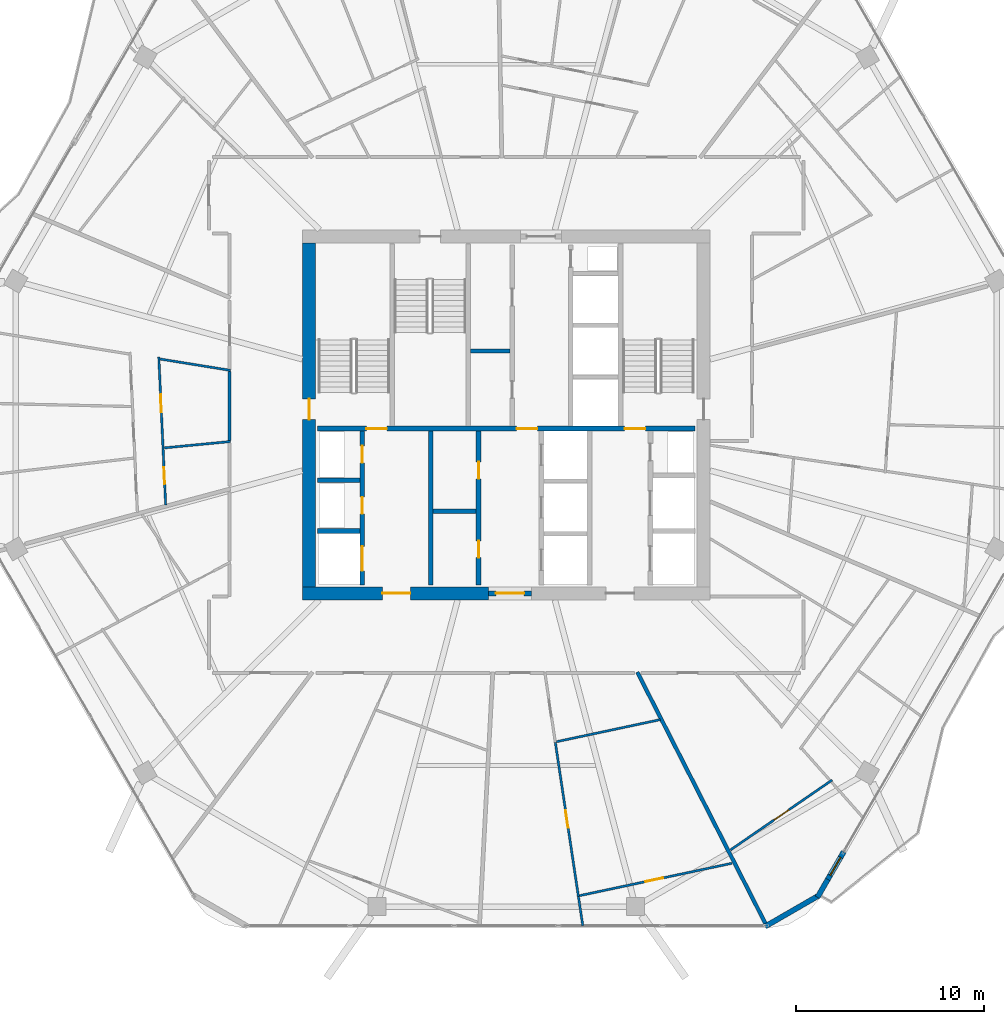
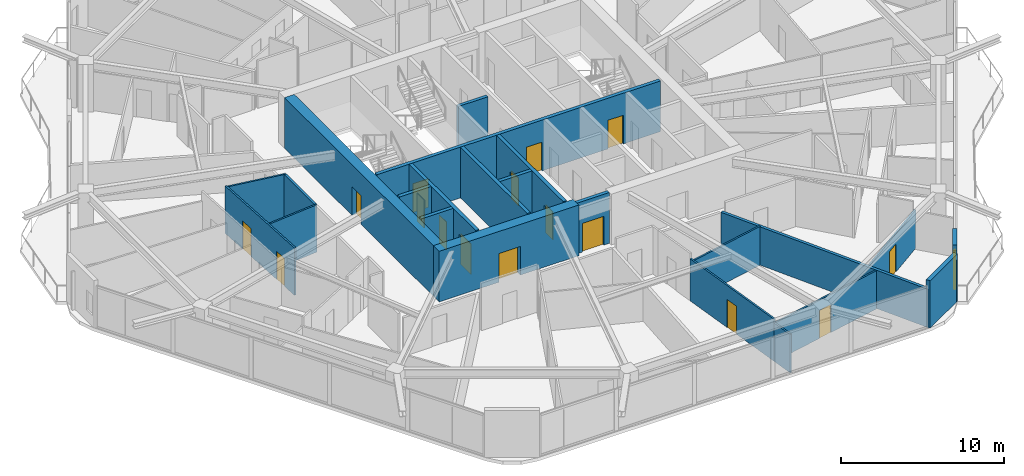
# One storey, part 19 of 27: 24 walls, 17 doors, 17 openings.
"""IFC4 building model written with IfcOpenShell, lengths in metres."""

from ifc_helpers import new_model, si_unit, direction, frame, frame_2d, origin, place, context, subcontext, project, spatial, rectangle, extrude, material, layer, layer_set, type_object, element, fill, save


model = new_model("IFC4")

# Units and contexts
model_context = context("Model", 3, precision=1e-05, world=origin(), true_north=direction((0.0, 1.0)))
body_context = subcontext(model_context, "Body", "Model", "MODEL_VIEW")
ifc_project = project(units=[si_unit("LENGTHUNIT", "METRE"), si_unit("AREAUNIT", "SQUARE_METRE"), si_unit("VOLUMEUNIT", "CUBIC_METRE"), si_unit("PLANEANGLEUNIT", "RADIAN"), si_unit("MASSUNIT", "GRAM", prefix="KILO")], contexts=[model_context])

# Site, building, storey
site_placement = place(None, origin())
site = spatial("IfcSite", under=ifc_project, at=site_placement, CompositionType="ELEMENT")
building_placement = place(site_placement, origin())
building = spatial("IfcBuilding", under=site, at=building_placement, Name="Zuhravey Tower", CompositionType="ELEMENT")
storey_placement = place(building_placement, frame((0.0, 0.0, 188.39990234375)))
storey = spatial("IfcBuildingStorey", under=building, at=storey_placement, Name="L47", CompositionType="ELEMENT", Elevation=188.39990234375)

# Wall, opening, door
ifc_material_1 = material(Name="Concrete C60/75", Category="concrete")
ifc_layer_1 = layer(ifc_material_1, 0.699951171875)
ifc_layer_set_1 = layer_set([ifc_layer_1], Name="Concrete C60/75")
wall_type_1 = type_object("IfcWallType", Name="Core Shear Wall 700", PredefinedType="SHEAR", material=ifc_layer_set_1)
wall_1_placement = place(storey_placement, frame((25.14990234375, 22.5, 0.0), z_axis=(0.0, 0.0, 1.0), x_axis=(1.0, 0.0, 0.0)))
wall_1 = element("IfcWall", 1, at=wall_1_placement, inside=storey, type_object=wall_type_1, Name="L47 South-West Core Shear Wall CW70", PredefinedType="SHEAR", context=body_context, shape_type="SweptSolid", body=[
    extrude(rectangle(XDim=9.900146484375, YDim=0.699951171875, at=frame_2d((4.9501953125, 0.0))), origin(), (0.0, 0.0, 1.0), 3.800048828125),
])
opening_1_placement = place(wall_1_placement, frame((4.25, 0.0, 0.0)))
opening_1 = element("IfcOpeningElement", 2, at=opening_1_placement, cuts=wall_1, Name="Opening FFD1", PredefinedType="OPENING", context=body_context, shape_type="SweptSolid", body=[
    extrude(rectangle(XDim=1.5, YDim=2.14990234375, at=frame_2d((0.75, 1.074951171875))), frame((0.0, 0.362060546875, 0.0), z_axis=(0.0, -1.0, 0.0), x_axis=(1.0, 0.0, 0.0)), (0.0, 0.0, 1.0), 0.723876953125),
])
ifc_material_2 = material(Name="Galvanised fire-rated steel leaf", Category="steel")
door_type_1 = type_object("IfcDoorType", Name="Firefighting Lobby Double Door 1500x2150", OperationType="DOUBLE_DOOR_SINGLE_SWING", PredefinedType="DOOR", material=ifc_material_2)
door_1_placement = place(opening_1_placement, origin())
door_1 = element("IfcDoor", 3, at=door_1_placement, inside=storey, type_object=door_type_1, Name="L47 Firefighting Lobby West Door", OperationType="DOUBLE_DOOR_SINGLE_SWING", OverallHeight=2.14990234375, OverallWidth=1.5, PredefinedType="DOOR", context=body_context, shape_type="SweptSolid", body=[
    extrude(rectangle(XDim=1.5, YDim=2.14990234375, at=frame_2d((0.75, 1.074951171875))), frame((0.0, 0.02490234375, 0.0), z_axis=(0.0, -1.0, 0.0), x_axis=(1.0, 0.0, 0.0)), (0.0, 0.0, 1.0), 0.050048828125),
])
fill(opening_1, door_1)

wall_2_placement = place(storey_placement, frame((25.5, 22.85009765625, 0.0), z_axis=(0.0, 0.0, 1.0), x_axis=(0.0, 1.0, 0.0)))
wall_2 = element("IfcWall", 4, at=wall_2_placement, inside=storey, type_object=wall_type_1, Name="L47 West Core Shear Wall CW70", PredefinedType="SHEAR", context=body_context, shape_type="SweptSolid", body=[
    extrude(rectangle(XDim=18.2998046875, YDim=0.699951171875, at=frame_2d((9.14990234375, 0.0))), origin(), (0.0, 0.0, 1.0), 3.800048828125),
])
opening_2_placement = place(wall_2_placement, frame((8.89990234375, 0.0, 0.0)))
opening_2 = element("IfcOpeningElement", 5, at=opening_2_placement, cuts=wall_2, Name="Opening STD1", PredefinedType="OPENING", context=body_context, shape_type="SweptSolid", body=[
    extrude(rectangle(XDim=1.10009765625, YDim=2.14990234375, at=frame_2d((0.550048828125, 1.074951171875))), frame((0.0, 0.362060546875, 0.0), z_axis=(0.0, -1.0, 0.0), x_axis=(1.0, 0.0, 0.0)), (0.0, 0.0, 1.0), 0.723876953125),
])
door_type_2 = type_object("IfcDoorType", Name="Protected Stair Fire Door 1100x2150", OperationType="NOTDEFINED", PredefinedType="USERDEFINED", material=ifc_material_2)
door_2_placement = place(opening_2_placement, frame((1.10009765625, 0.0, 0.0), z_axis=(0.0, 0.0, 1.0), x_axis=(-1.0, 0.0, 0.0)))
door_2 = element("IfcDoor", 6, at=door_2_placement, inside=storey, type_object=door_type_2, Name="L47 Stair ST1 Door", ObjectType="EXITDOOR", OperationType="SINGLE_SWING_RIGHT", OverallHeight=2.14990234375, OverallWidth=1.10009765625, PredefinedType="USERDEFINED", context=body_context, shape_type="SweptSolid", body=[
    extrude(rectangle(XDim=1.10009765625, YDim=2.14990234375, at=frame_2d((0.550048828125, 1.074951171875))), frame((0.0, 0.02490234375, 0.0), z_axis=(0.0, -1.0, 0.0), x_axis=(1.0, 0.0, 0.0)), (0.0, 0.0, 1.0), 0.050048828125),
])
fill(opening_2, door_2)

# Wall
ifc_material_3 = material(Name="Gypsum fire-rated stud partition")
ifc_layer_2 = layer(ifc_material_3, 0.159912109375)
ifc_layer_set_2 = layer_set([ifc_layer_2], Name="Gypsum fire-rated stud partition")
wall_type_2 = type_object("IfcWallType", Name="Corridor Fire Partition 160", PredefinedType="PARTITIONING", material=ifc_layer_set_2)
wall_3_placement = place(storey_placement, frame((21.27001953125, 34.3115234375, 0.0), z_axis=(0.0, 0.0, 1.0), x_axis=(0.0, -1.0, 0.0)))
element("IfcWall", 7, at=wall_3_placement, inside=storey, type_object=wall_type_2, Name="L47 IW16 Partition 136", PredefinedType="PARTITIONING", context=body_context, shape_type="SweptSolid", body=[
    extrude(rectangle(XDim=3.661865234375, YDim=0.159912109375, at=frame_2d((1.8310546875, 0.0))), origin(), (0.0, 0.0, 1.0), 3.550048828125),
])

# Wall, opening, door
ifc_material_4 = material(Name="Precast concrete C40/50", Category="concrete")
ifc_layer_3 = layer(ifc_material_4, 0.280029296875)
ifc_layer_set_3 = layer_set([ifc_layer_3], Name="Precast concrete C40/50")
wall_type_3 = type_object("IfcWallType", Name="Crown Architectural Wall 280", PredefinedType="SOLIDWALL", material=ifc_layer_set_3)
wall_4_placement = place(storey_placement, frame((53.9638671875, 8.748046875, 0.0), z_axis=(0.0, 0.0, 1.0), x_axis=(-0.499982180423, -0.866035691677, 0.0)))
wall_4 = element("IfcWall", 8, at=wall_4_placement, inside=storey, type_object=wall_type_3, Name="L47 Face 6 Facade Pier EW28-1", PredefinedType="SOLIDWALL", context=body_context, shape_type="SweptSolid", body=[
    extrude(rectangle(XDim=1.7900390625, YDim=0.280029296875, at=frame_2d((0.89501953125, 0.0))), origin(), (0.0, 0.0, 1.0), 3.550048828125),
])
opening_3_placement = place(wall_4_placement, frame((0.344970703125, 0.0, 0.0)))
opening_3 = element("IfcOpeningElement", 9, at=opening_3_placement, cuts=wall_4, Name="Opening BLD1", PredefinedType="OPENING", context=body_context, shape_type="SweptSolid", body=[
    extrude(rectangle(XDim=1.10009765625, YDim=2.199951171875, at=frame_2d((0.550048828125, 1.10009765625))), frame((0.0, 0.152099609375, 0.0), z_axis=(0.0, -1.0, 0.0), x_axis=(1.0, 0.0, 0.0)), (0.0, 0.0, 1.0), 0.303955078125),
])
ifc_material_5 = material(Name="Thermally broken aluminium and low-E glass", Category="aluminium")
door_type_3 = type_object("IfcDoorType", Name="Balcony & Sky-Tray Glazed Door 1100x2200", OperationType="NOTDEFINED", PredefinedType="DOOR", material=ifc_material_5)
door_3_placement = place(opening_3_placement, frame((1.10009765625, 0.0, 0.0), z_axis=(0.0, 0.0, 1.0), x_axis=(-1.0, 0.0, 0.0)))
door_3 = element("IfcDoor", 10, at=door_3_placement, inside=storey, type_object=door_type_3, Name="L47 Face 6 Wave Balcony Door", OperationType="SINGLE_SWING_LEFT", OverallHeight=2.199951171875, OverallWidth=1.10009765625, PredefinedType="DOOR", context=body_context, shape_type="SweptSolid", body=[
    extrude(rectangle(XDim=1.10009765625, YDim=2.199951171875, at=frame_2d((0.550048828125, 1.10009765625))), frame((0.0, 0.02490234375, 0.0), z_axis=(0.0, -1.0, 0.0), x_axis=(1.0, 0.0, 0.0)), (0.0, 0.0, 1.0), 0.050048828125),
])
fill(opening_3, door_3)

# Walls
wall_5_placement = place(storey_placement, frame((53.11376953125, 7.27587890625, 0.0), z_axis=(0.0, 0.0, 1.0), x_axis=(-0.499882367571, -0.866093308248, 0.0)))
element("IfcWall", 11, at=wall_5_placement, inside=storey, type_object=wall_type_3, Name="L47 Face 6 Closure Pier EW28", PredefinedType="SOLIDWALL", context=body_context, shape_type="SweptSolid", body=[
    extrude(rectangle(XDim=1.101318359375, YDim=0.280029296875, at=frame_2d((0.55078125, 0.0))), origin(), (0.0, 0.0, 1.0), 3.1220703125),
])
wall_6_placement = place(storey_placement, frame((52.693115234375, 6.451904296875, 0.0), z_axis=(0.0, 0.0, 1.0), x_axis=(-0.866020068361, -0.500009241111, 0.0)))
element("IfcWall", 12, at=wall_6_placement, inside=storey, type_object=wall_type_3, Name="L47 Rounded Corner Closure Wall EW28-02", PredefinedType="SOLIDWALL", context=body_context, shape_type="SweptSolid", body=[
    extrude(rectangle(XDim=3.365234375, YDim=0.280029296875, at=frame_2d((1.6826171875, 0.0))), origin(), (0.0, 0.0, 1.0), 3.550048828125),
])

# Wall, opening, door
ifc_material_6 = material(Name="Concrete C50/60", Category="concrete")
ifc_layer_4 = layer(ifc_material_6, 0.25)
ifc_layer_set_4 = layer_set([ifc_layer_4], Name="Concrete C50/60")
wall_type_4 = type_object("IfcWallType", Name="Firefighting Shaft & Stair Wall 250", PredefinedType="SOLIDWALL", material=ifc_layer_set_4)
wall_7_placement = place(storey_placement, frame((35.06005859375, 22.5, 0.0), z_axis=(0.0, 0.0, 1.0), x_axis=(1.0, 0.0, 0.0)))
wall_7 = element("IfcWall", 13, at=wall_7_placement, inside=storey, type_object=wall_type_4, Name="L47 FW25 Shaft Wall 001", PredefinedType="SOLIDWALL", context=body_context, shape_type="SweptSolid", body=[
    extrude(rectangle(XDim=2.280029296875, YDim=0.25, at=frame_2d((1.14013671875, 0.0))), origin(), (0.0, 0.0, 1.0), 3.800048828125),
])
opening_4_placement = place(wall_7_placement, frame((0.389892578125, 0.0, 0.0)))
opening_4 = element("IfcOpeningElement", 14, at=opening_4_placement, cuts=wall_7, Name="Opening FFD1", PredefinedType="OPENING", context=body_context, shape_type="SweptSolid", body=[
    extrude(rectangle(XDim=1.5, YDim=2.14990234375, at=frame_2d((0.75, 1.074951171875))), frame((0.0, 0.136962890625, 0.0), z_axis=(0.0, -1.0, 0.0), x_axis=(1.0, 0.0, 0.0)), (0.0, 0.0, 1.0), 0.27392578125),
])
door_4_placement = place(opening_4_placement, frame((1.5, 0.0, 0.0), z_axis=(0.0, 0.0, 1.0), x_axis=(-1.0, 0.0, 0.0)))
door_4 = element("IfcDoor", 15, at=door_4_placement, inside=storey, type_object=door_type_1, Name="L47 South Lift Lobby Exit Door", OperationType="DOUBLE_DOOR_SINGLE_SWING", OverallHeight=2.14990234375, OverallWidth=1.5, PredefinedType="DOOR", context=body_context, shape_type="SweptSolid", body=[
    extrude(rectangle(XDim=1.5, YDim=2.14990234375, at=frame_2d((0.75, 1.074951171875))), frame((0.0, 0.02490234375, 0.0), z_axis=(0.0, -1.0, 0.0), x_axis=(1.0, 0.0, 0.0)), (0.0, 0.0, 1.0), 0.050048828125),
])
fill(opening_4, door_4)

# Wall, openings, doors
wall_8_placement = place(storey_placement, frame((25.949951171875, 31.27490234375, 0.0), z_axis=(0.0, 0.0, 1.0), x_axis=(1.0, 0.0, 0.0)))
wall_8 = element("IfcWall", 16, at=wall_8_placement, inside=storey, type_object=wall_type_4, Name="L47 FW25 Shaft Wall 003", PredefinedType="SOLIDWALL", context=body_context, shape_type="SweptSolid", body=[
    extrude(rectangle(XDim=20.10009765625, YDim=0.25, at=frame_2d((10.050048828125, 0.0))), origin(), (0.0, 0.0, 1.0), 3.800048828125),
])
opening_5_placement = place(wall_8_placement, frame((2.60009765625, 0.0, 0.0)))
opening_5 = element("IfcOpeningElement", 17, at=opening_5_placement, cuts=wall_8, Name="Opening STD1", PredefinedType="OPENING", context=body_context, shape_type="SweptSolid", body=[
    extrude(rectangle(XDim=1.10009765625, YDim=2.14990234375, at=frame_2d((0.550048828125, 1.074951171875))), frame((0.0, 0.136962890625, 0.0), z_axis=(0.0, -1.0, 0.0), x_axis=(1.0, 0.0, 0.0)), (0.0, 0.0, 1.0), 0.27392578125),
])
opening_6_placement = place(wall_8_placement, frame((10.60009765625, 0.0, 0.0)))
opening_6 = element("IfcOpeningElement", 18, at=opening_6_placement, cuts=wall_8, Name="Opening STD1", PredefinedType="OPENING", context=body_context, shape_type="SweptSolid", body=[
    extrude(rectangle(XDim=1.10009765625, YDim=2.14990234375, at=frame_2d((0.550048828125, 1.074951171875))), frame((0.0, 0.136962890625, 0.0), z_axis=(0.0, -1.0, 0.0), x_axis=(1.0, 0.0, 0.0)), (0.0, 0.0, 1.0), 0.27392578125),
])
opening_7_placement = place(wall_8_placement, frame((16.35009765625, 0.0, 0.0)))
opening_7 = element("IfcOpeningElement", 19, at=opening_7_placement, cuts=wall_8, Name="Opening STD1", PredefinedType="OPENING", context=body_context, shape_type="SweptSolid", body=[
    extrude(rectangle(XDim=1.10009765625, YDim=2.14990234375, at=frame_2d((0.550048828125, 1.074951171875))), frame((0.0, 0.136962890625, 0.0), z_axis=(0.0, -1.0, 0.0), x_axis=(1.0, 0.0, 0.0)), (0.0, 0.0, 1.0), 0.27392578125),
])
door_5_placement = place(opening_5_placement, origin())
door_5 = element("IfcDoor", 20, at=door_5_placement, inside=storey, type_object=door_type_2, Name="L47 FFL-W to ST1 Door", ObjectType="EXITDOOR", OperationType="SINGLE_SWING_LEFT", OverallHeight=2.14990234375, OverallWidth=1.10009765625, PredefinedType="USERDEFINED", context=body_context, shape_type="SweptSolid", body=[
    extrude(rectangle(XDim=1.10009765625, YDim=2.14990234375, at=frame_2d((0.550048828125, 1.074951171875))), frame((0.0, 0.02490234375, 0.0), z_axis=(0.0, -1.0, 0.0), x_axis=(1.0, 0.0, 0.0)), (0.0, 0.0, 1.0), 0.050048828125),
])
fill(opening_5, door_5)
door_6_placement = place(opening_6_placement, origin())
door_6 = element("IfcDoor", 21, at=door_6_placement, inside=storey, type_object=door_type_2, Name="L47 Core Lobby Link Door", ObjectType="EXITDOOR", OperationType="SINGLE_SWING_RIGHT", OverallHeight=2.14990234375, OverallWidth=1.10009765625, PredefinedType="USERDEFINED", context=body_context, shape_type="SweptSolid", body=[
    extrude(rectangle(XDim=1.10009765625, YDim=2.14990234375, at=frame_2d((0.550048828125, 1.074951171875))), frame((0.0, 0.02490234375, 0.0), z_axis=(0.0, -1.0, 0.0), x_axis=(1.0, 0.0, 0.0)), (0.0, 0.0, 1.0), 0.050048828125),
])
fill(opening_6, door_6)
door_7_placement = place(opening_7_placement, origin())
door_7 = element("IfcDoor", 22, at=door_7_placement, inside=storey, type_object=door_type_2, Name="L47 FFL-E to ST2 Door", ObjectType="EXITDOOR", OperationType="SINGLE_SWING_LEFT", OverallHeight=2.14990234375, OverallWidth=1.10009765625, PredefinedType="USERDEFINED", context=body_context, shape_type="SweptSolid", body=[
    extrude(rectangle(XDim=1.10009765625, YDim=2.14990234375, at=frame_2d((0.550048828125, 1.074951171875))), frame((0.0, 0.02490234375, 0.0), z_axis=(0.0, -1.0, 0.0), x_axis=(1.0, 0.0, 0.0)), (0.0, 0.0, 1.0), 0.050048828125),
])
fill(opening_7, door_7)

# Walls
for number, where, z_axis, x_axis, name in (
    (23, (25.949951171875, 25.824951171875, 0.0), (0.0, 0.0, 1.0), (1.0, 0.0, 0.0), "L47 FW25 Shaft Wall 009"),
    (24, (25.949951171875, 28.52490234375, 0.0), (0.0, 0.0, 1.0), (1.0, 0.0, 0.0), "L47 FW25 Shaft Wall 010"),
):
    element("IfcWall", number, at=place(storey_placement, frame(where, z_axis=z_axis, x_axis=x_axis)), inside=storey, type_object=wall_type_4, Name=name, PredefinedType="SOLIDWALL", context=body_context, shape_type="SweptSolid", body=[
        extrude(rectangle(XDim=2.25, YDim=0.25, at=frame_2d((1.125, 0.0))), origin(), (0.0, 0.0, 1.0), 3.800048828125),
    ])

# Wall, openings, doors
wall_9_placement = place(storey_placement, frame((28.324951171875, 22.949951171875, 0.0), z_axis=(0.0, 0.0, 1.0), x_axis=(0.0, 1.0, 0.0)))
wall_9 = element("IfcWall", 25, at=wall_9_placement, inside=storey, type_object=wall_type_4, Name="L47 FW25 Shaft Wall 011", PredefinedType="SOLIDWALL", context=body_context, shape_type="SweptSolid", body=[
    extrude(rectangle(XDim=8.199951171875, YDim=0.25, at=frame_2d((4.10009765625, 0.0))), origin(), (0.0, 0.0, 1.0), 3.800048828125),
])
opening_8_placement = place(wall_9_placement, frame((0.75, 0.0, 0.0)))
opening_8 = element("IfcOpeningElement", 26, at=opening_8_placement, cuts=wall_9, Name="Opening LD2", PredefinedType="OPENING", context=body_context, shape_type="SweptSolid", body=[
    extrude(rectangle(XDim=1.300048828125, YDim=2.300048828125, at=frame_2d((0.64990234375, 1.14990234375))), frame((0.0, 0.136962890625, 0.0), z_axis=(0.0, -1.0, 0.0), x_axis=(1.0, 0.0, 0.0)), (0.0, 0.0, 1.0), 0.27392578125),
])
opening_9_placement = place(wall_9_placement, frame((3.780029296875, 0.0, 0.0)))
opening_9 = element("IfcOpeningElement", 27, at=opening_9_placement, cuts=wall_9, Name="Opening RSD1", PredefinedType="OPENING", context=body_context, shape_type="SweptSolid", body=[
    extrude(rectangle(XDim=0.89990234375, YDim=2.10009765625, at=frame_2d((0.449951171875, 1.050048828125))), frame((0.0, 0.136962890625, 0.0), z_axis=(0.0, -1.0, 0.0), x_axis=(1.0, 0.0, 0.0)), (0.0, 0.0, 1.0), 0.27392578125),
])
opening_10_placement = place(wall_9_placement, frame((6.5, 0.0, 0.0)))
opening_10 = element("IfcOpeningElement", 28, at=opening_10_placement, cuts=wall_9, Name="Opening RSD1", PredefinedType="OPENING", context=body_context, shape_type="SweptSolid", body=[
    extrude(rectangle(XDim=0.89990234375, YDim=2.10009765625, at=frame_2d((0.449951171875, 1.050048828125))), frame((0.0, 0.136962890625, 0.0), z_axis=(0.0, -1.0, 0.0), x_axis=(1.0, 0.0, 0.0)), (0.0, 0.0, 1.0), 0.27392578125),
])
ifc_material_7 = material(Name="Brushed stainless steel", Category="steel")
door_type_4 = type_object("IfcDoorType", Name="Freight & Stretcher Lift Sliding Door 1300x2300", OperationType="DOUBLE_DOOR_SLIDING", PredefinedType="DOOR", material=ifc_material_7)
door_8_placement = place(opening_8_placement, frame((1.300048828125, 0.0, 0.0), z_axis=(0.0, 0.0, 1.0), x_axis=(-1.0, 0.0, 0.0)))
door_8 = element("IfcDoor", 29, at=door_8_placement, inside=storey, type_object=door_type_4, Name="L47 Lift FF1 Landing Door", OperationType="DOUBLE_DOOR_SLIDING", OverallHeight=2.300048828125, OverallWidth=1.300048828125, PredefinedType="DOOR", context=body_context, shape_type="SweptSolid", body=[
    extrude(rectangle(XDim=1.300048828125, YDim=2.300048828125, at=frame_2d((0.64990234375, 1.14990234375))), frame((0.0, 0.02490234375, 0.0), z_axis=(0.0, -1.0, 0.0), x_axis=(1.0, 0.0, 0.0)), (0.0, 0.0, 1.0), 0.050048828125),
])
fill(opening_8, door_8)
ifc_material_8 = material(Name="Galvanised fire-rated steel access leaf", Category="steel")
door_type_5 = type_object("IfcDoorType", Name="Riser & Shaft Access Fire Door 900x2100", OperationType="NOTDEFINED", PredefinedType="DOOR", material=ifc_material_8)
door_9_placement = place(opening_9_placement, frame((0.89990234375, 0.0, 0.0), z_axis=(0.0, 0.0, 1.0), x_axis=(-1.0, 0.0, 0.0)))
door_9 = element("IfcDoor", 30, at=door_9_placement, inside=storey, type_object=door_type_5, Name="L47 Electrical Riser Door", OperationType="SINGLE_SWING_LEFT", OverallHeight=2.10009765625, OverallWidth=0.89990234375, PredefinedType="DOOR", context=body_context, shape_type="SweptSolid", body=[
    extrude(rectangle(XDim=0.89990234375, YDim=2.10009765625, at=frame_2d((0.449951171875, 1.050048828125))), frame((0.0, 0.02490234375, 0.0), z_axis=(0.0, -1.0, 0.0), x_axis=(1.0, 0.0, 0.0)), (0.0, 0.0, 1.0), 0.050048828125),
])
fill(opening_9, door_9)
door_10_placement = place(opening_10_placement, frame((0.89990234375, 0.0, 0.0), z_axis=(0.0, 0.0, 1.0), x_axis=(-1.0, 0.0, 0.0)))
door_10 = element("IfcDoor", 31, at=door_10_placement, inside=storey, type_object=door_type_5, Name="L47 Smoke Shaft Access Door", OperationType="SINGLE_SWING_RIGHT", OverallHeight=2.10009765625, OverallWidth=0.89990234375, PredefinedType="DOOR", context=body_context, shape_type="SweptSolid", body=[
    extrude(rectangle(XDim=0.89990234375, YDim=2.10009765625, at=frame_2d((0.449951171875, 1.050048828125))), frame((0.0, 0.02490234375, 0.0), z_axis=(0.0, -1.0, 0.0), x_axis=(1.0, 0.0, 0.0)), (0.0, 0.0, 1.0), 0.050048828125),
])
fill(opening_10, door_10)

# Walls
wall_10_placement = place(storey_placement, frame((31.97509765625, 22.949951171875, 0.0), z_axis=(0.0, 0.0, 1.0), x_axis=(0.0, 1.0, 0.0)))
element("IfcWall", 32, at=wall_10_placement, inside=storey, type_object=wall_type_4, Name="L47 FW25 Shaft Wall 012", PredefinedType="SOLIDWALL", context=body_context, shape_type="SweptSolid", body=[
    extrude(rectangle(XDim=8.199951171875, YDim=0.25, at=frame_2d((4.10009765625, 0.0))), origin(), (0.0, 0.0, 1.0), 3.800048828125),
])
wall_11_placement = place(storey_placement, frame((32.10009765625, 26.875, 0.0), z_axis=(0.0, 0.0, 1.0), x_axis=(1.0, 0.0, 0.0)))
element("IfcWall", 33, at=wall_11_placement, inside=storey, type_object=wall_type_4, Name="L47 FW25 Shaft Wall 013", PredefinedType="SOLIDWALL", context=body_context, shape_type="SweptSolid", body=[
    extrude(rectangle(XDim=2.2998046875, YDim=0.25, at=frame_2d((1.14990234375, 0.0))), origin(), (0.0, 0.0, 1.0), 3.800048828125),
])

# Wall, openings, doors
wall_12_placement = place(storey_placement, frame((34.52490234375, 22.949951171875, 0.0), z_axis=(0.0, 0.0, 1.0), x_axis=(0.0, 1.0, 0.0)))
wall_12 = element("IfcWall", 34, at=wall_12_placement, inside=storey, type_object=wall_type_4, Name="L47 FW25 Shaft Wall 014", PredefinedType="SOLIDWALL", context=body_context, shape_type="SweptSolid", body=[
    extrude(rectangle(XDim=8.199951171875, YDim=0.25, at=frame_2d((4.10009765625, 0.0))), origin(), (0.0, 0.0, 1.0), 3.800048828125),
])
opening_11_placement = place(wall_12_placement, frame((1.449951171875, 0.0, 0.0)))
opening_11 = element("IfcOpeningElement", 35, at=opening_11_placement, cuts=wall_12, Name="Opening RSD1", PredefinedType="OPENING", context=body_context, shape_type="SweptSolid", body=[
    extrude(rectangle(XDim=0.89990234375, YDim=2.10009765625, at=frame_2d((0.449951171875, 1.050048828125))), frame((0.0, 0.136962890625, 0.0), z_axis=(0.0, -1.0, 0.0), x_axis=(1.0, 0.0, 0.0)), (0.0, 0.0, 1.0), 0.27392578125),
])
opening_12_placement = place(wall_12_placement, frame((5.64990234375, 0.0, 0.0)))
opening_12 = element("IfcOpeningElement", 36, at=opening_12_placement, cuts=wall_12, Name="Opening RSD1", PredefinedType="OPENING", context=body_context, shape_type="SweptSolid", body=[
    extrude(rectangle(XDim=0.89990234375, YDim=2.10009765625, at=frame_2d((0.449951171875, 1.050048828125))), frame((0.0, 0.136962890625, 0.0), z_axis=(0.0, -1.0, 0.0), x_axis=(1.0, 0.0, 0.0)), (0.0, 0.0, 1.0), 0.27392578125),
])
door_11_placement = place(opening_11_placement, origin())
door_11 = element("IfcDoor", 37, at=door_11_placement, inside=storey, type_object=door_type_5, Name="L47 Housekeeping and Linen Room Door", OperationType="SINGLE_SWING_LEFT", OverallHeight=2.10009765625, OverallWidth=0.89990234375, PredefinedType="DOOR", context=body_context, shape_type="SweptSolid", body=[
    extrude(rectangle(XDim=0.89990234375, YDim=2.10009765625, at=frame_2d((0.449951171875, 1.050048828125))), frame((0.0, 0.02490234375, 0.0), z_axis=(0.0, -1.0, 0.0), x_axis=(1.0, 0.0, 0.0)), (0.0, 0.0, 1.0), 0.050048828125),
])
fill(opening_11, door_11)
door_12_placement = place(opening_12_placement, origin())
door_12 = element("IfcDoor", 38, at=door_12_placement, inside=storey, type_object=door_type_5, Name="L47 Telecoms Switch Closet Door", OperationType="SINGLE_SWING_RIGHT", OverallHeight=2.10009765625, OverallWidth=0.89990234375, PredefinedType="DOOR", context=body_context, shape_type="SweptSolid", body=[
    extrude(rectangle(XDim=0.89990234375, YDim=2.10009765625, at=frame_2d((0.449951171875, 1.050048828125))), frame((0.0, 0.02490234375, 0.0), z_axis=(0.0, -1.0, 0.0), x_axis=(1.0, 0.0, 0.0)), (0.0, 0.0, 1.0), 0.050048828125),
])
fill(opening_12, door_12)

# Walls
ifc_material_9 = material(Name="Gypsum double-stud party assembly")
ifc_layer_5 = layer(ifc_material_9, 0.199951171875)
ifc_layer_set_5 = layer_set([ifc_layer_5], Name="Gypsum double-stud party assembly")
wall_type_5 = type_object("IfcWallType", Name="Inter-Tenancy Party Wall 200", PredefinedType="PARTITIONING", material=ifc_layer_set_5)
wall_13_placement = place(storey_placement, frame((42.975341796875, 18.31005859375, 0.0), z_axis=(0.0, 0.0, 1.0), x_axis=(0.453997506489, -0.891002954037, 0.0)))
element("IfcWall", 39, at=wall_13_placement, inside=storey, type_object=wall_type_5, Name="L47 IW20 Partition 112", PredefinedType="PARTITIONING", context=body_context, shape_type="SweptSolid", body=[
    extrude(rectangle(XDim=15.143798828125, YDim=0.199951171875, at=frame_2d((7.57177734375, 0.0))), origin(), (0.0, 0.0, 1.0), 2.8701171875),
])
ifc_material_10 = material(Name="Gypsum acoustic stud assembly")
ifc_layer_6 = layer(ifc_material_10, 0.219970703125)
ifc_layer_set_6 = layer_set([ifc_layer_6], Name="Gypsum acoustic stud assembly")
wall_type_6 = type_object("IfcWallType", Name="School Acoustic Compartment Wall 220", PredefinedType="PARTITIONING", material=ifc_layer_set_6)
wall_14_placement = place(storey_placement, frame((34.10791015625, 35.39990234375, 0.0), z_axis=(0.0, 0.0, 1.0), x_axis=(1.0, 0.0, 0.0)))
element("IfcWall", 40, at=wall_14_placement, inside=storey, type_object=wall_type_6, Name="L47 IW22 Partition 061", PredefinedType="PARTITIONING", context=body_context, shape_type="SweptSolid", body=[
    extrude(rectangle(XDim=2.083984375, YDim=0.219970703125, at=frame_2d((1.0419921875, 0.0))), origin(), (0.0, 0.0, 1.0), 3.550048828125),
])

# Wall, openings, doors
ifc_material_11 = material(Name="Gypsum metal-stud partition")
ifc_layer_7 = layer(ifc_material_11, 0.1201171875)
ifc_layer_set_7 = layer_set([ifc_layer_7], Name="Gypsum metal-stud partition")
wall_type_7 = type_object("IfcWallType", Name="Unit Internal Partition 120", PredefinedType="PARTITIONING", material=ifc_layer_set_7)
wall_15_placement = place(storey_placement, frame((17.502685546875, 35.090576171875, 0.0), z_axis=(0.0, 0.0, 1.0), x_axis=(0.046406836397, -0.998922622397, 0.0)))
wall_15 = element("IfcWall", 41, at=wall_15_placement, inside=storey, type_object=wall_type_7, Name="L47 IW12 Partition 035", PredefinedType="PARTITIONING", context=body_context, shape_type="SweptSolid", body=[
    extrude(rectangle(XDim=7.891357421875, YDim=0.1201171875, at=frame_2d((3.94580078125, 0.0))), origin(), (0.0, 0.0, 1.0), 3.550048828125),
])
opening_13_placement = place(wall_15_placement, frame((2.00390625, 0.0, 0.0)))
opening_13 = element("IfcOpeningElement", 42, at=opening_13_placement, cuts=wall_15, Name="Opening IND1", PredefinedType="OPENING", context=body_context, shape_type="SweptSolid", body=[
    extrude(rectangle(XDim=0.949951171875, YDim=2.10009765625, at=frame_2d((0.47509765625, 1.050048828125))), frame((0.0, 0.072021484375, 0.0), z_axis=(0.0, -1.0, 0.0), x_axis=(1.0, 0.0, 0.0)), (0.0, 0.0, 1.0), 0.14404296875),
])
opening_14_placement = place(wall_15_placement, frame((5.872314453125, 0.0, 0.0)))
opening_14 = element("IfcOpeningElement", 43, at=opening_14_placement, cuts=wall_15, Name="Opening WCD1", PredefinedType="OPENING", context=body_context, shape_type="SweptSolid", body=[
    extrude(rectangle(XDim=0.89990234375, YDim=2.10009765625, at=frame_2d((0.449951171875, 1.050048828125))), frame((0.0, 0.072021484375, 0.0), z_axis=(0.0, -1.0, 0.0), x_axis=(1.0, 0.0, 0.0)), (0.0, 0.0, 1.0), 0.14404296875),
])
ifc_material_12 = material(Name="Moisture-resistant timber leaf", Category="wood")
door_type_6 = type_object("IfcDoorType", Name="Bathroom & WC Internal Door 900x2100", OperationType="NOTDEFINED", PredefinedType="DOOR", material=ifc_material_12)
door_13_placement = place(opening_14_placement, origin())
door_13 = element("IfcDoor", 44, at=door_13_placement, inside=storey, type_object=door_type_6, Name="Apartment L47-05 Bathroom Door", OperationType="SINGLE_SWING_LEFT", OverallHeight=2.10009765625, OverallWidth=0.89990234375, PredefinedType="DOOR", context=body_context, shape_type="SweptSolid", body=[
    extrude(rectangle(XDim=0.89990234375, YDim=2.10009765625, at=frame_2d((0.449951171875, 1.050048828125))), frame((0.0, 0.02490234375, 0.0), z_axis=(0.0, -1.0, 0.0), x_axis=(1.0, 0.0, 0.0)), (0.0, 0.0, 1.0), 0.050048828125),
])
fill(opening_14, door_13)
ifc_material_13 = material(Name="Painted engineered timber leaf", Category="wood")
door_type_7 = type_object("IfcDoorType", Name="Internal Room & Bedroom Door 950x2100", OperationType="NOTDEFINED", PredefinedType="DOOR", material=ifc_material_13)
door_14_placement = place(opening_13_placement, origin())
door_14 = element("IfcDoor", 45, at=door_14_placement, inside=storey, type_object=door_type_7, Name="Apartment L47-05 Kitchen Door", OperationType="SINGLE_SWING_RIGHT", OverallHeight=2.10009765625, OverallWidth=0.949951171875, PredefinedType="DOOR", context=body_context, shape_type="SweptSolid", body=[
    extrude(rectangle(XDim=0.949951171875, YDim=2.10009765625, at=frame_2d((0.47509765625, 1.050048828125))), frame((0.0, 0.02490234375, 0.0), z_axis=(0.0, -1.0, 0.0), x_axis=(1.0, 0.0, 0.0)), (0.0, 0.0, 1.0), 0.050048828125),
])
fill(opening_13, door_14)

# Wall, opening, door
wall_16_placement = place(storey_placement, frame((38.611328125, 14.568115234375, 0.0), z_axis=(0.0, 0.0, 1.0), x_axis=(0.148161808742, -0.988963132999, 0.0)))
wall_16 = element("IfcWall", 46, at=wall_16_placement, inside=storey, type_object=wall_type_7, Name="L47 IW12 Partition 048", PredefinedType="PARTITIONING", context=body_context, shape_type="SweptSolid", body=[
    extrude(rectangle(XDim=8.286865234375, YDim=0.1201171875, at=frame_2d((4.1435546875, 0.0))), origin(), (0.0, 0.0, 1.0), 3.150146484375),
])
opening_15_placement = place(wall_16_placement, frame((3.643310546875, 0.0, 0.0)))
opening_15 = element("IfcOpeningElement", 47, at=opening_15_placement, cuts=wall_16, Name="Opening IND1", PredefinedType="OPENING", context=body_context, shape_type="SweptSolid", body=[
    extrude(rectangle(XDim=0.949951171875, YDim=2.10009765625, at=frame_2d((0.47509765625, 1.050048828125))), frame((0.0, 0.072021484375, 0.0), z_axis=(0.0, -1.0, 0.0), x_axis=(1.0, 0.0, 0.0)), (0.0, 0.0, 1.0), 0.14404296875),
])
door_15_placement = place(opening_15_placement, origin())
door_15 = element("IfcDoor", 48, at=door_15_placement, inside=storey, type_object=door_type_7, Name="Apartment L47-08 Home Office Door", OperationType="SINGLE_SWING_RIGHT", OverallHeight=2.10009765625, OverallWidth=0.949951171875, PredefinedType="DOOR", context=body_context, shape_type="SweptSolid", body=[
    extrude(rectangle(XDim=0.949951171875, YDim=2.10009765625, at=frame_2d((0.47509765625, 1.050048828125))), frame((0.0, 0.02490234375, 0.0), z_axis=(0.0, -1.0, 0.0), x_axis=(1.0, 0.0, 0.0)), (0.0, 0.0, 1.0), 0.050048828125),
])
fill(opening_15, door_15)

wall_17_placement = place(storey_placement, frame((39.902099609375, 6.411865234375, 0.0), z_axis=(0.0, 0.0, 1.0), x_axis=(0.978148894312, 0.207905604918, 0.0)))
wall_17 = element("IfcWall", 49, at=wall_17_placement, inside=storey, type_object=wall_type_7, Name="L47 IW12 Partition 049", PredefinedType="PARTITIONING", context=body_context, shape_type="SweptSolid", body=[
    extrude(rectangle(XDim=8.289306640625, YDim=0.1201171875, at=frame_2d((4.14453125, 0.0))), origin(), (0.0, 0.0, 1.0), 2.8701171875),
])
opening_16_placement = place(wall_17_placement, frame((3.585693359375, 0.0, 0.0)))
opening_16 = element("IfcOpeningElement", 50, at=opening_16_placement, cuts=wall_17, Name="Opening IND1", PredefinedType="OPENING", context=body_context, shape_type="SweptSolid", body=[
    extrude(rectangle(XDim=0.949951171875, YDim=2.10009765625, at=frame_2d((0.47509765625, 1.050048828125))), frame((0.0, 0.072021484375, 0.0), z_axis=(0.0, -1.0, 0.0), x_axis=(1.0, 0.0, 0.0)), (0.0, 0.0, 1.0), 0.14404296875),
])
door_16_placement = place(opening_16_placement, frame((0.949951171875, 0.0, 0.0), z_axis=(0.0, 0.0, 1.0), x_axis=(-1.0, 0.0, 0.0)))
door_16 = element("IfcDoor", 51, at=door_16_placement, inside=storey, type_object=door_type_7, Name="Apartment L47-08 Kitchen Door", OperationType="SINGLE_SWING_LEFT", OverallHeight=2.10009765625, OverallWidth=0.949951171875, PredefinedType="DOOR", context=body_context, shape_type="SweptSolid", body=[
    extrude(rectangle(XDim=0.949951171875, YDim=2.10009765625, at=frame_2d((0.47509765625, 1.050048828125))), frame((0.0, 0.02490234375, 0.0), z_axis=(0.0, -1.0, 0.0), x_axis=(1.0, 0.0, 0.0)), (0.0, 0.0, 1.0), 0.050048828125),
])
fill(opening_16, door_16)

wall_18_placement = place(storey_placement, frame((47.939697265625, 8.847412109375, 0.0), z_axis=(0.0, 0.0, 1.0), x_axis=(0.823925822712, 0.566697660723, 0.0)))
wall_18 = element("IfcWall", 52, at=wall_18_placement, inside=storey, type_object=wall_type_7, Name="L47 IW12 Partition 051", PredefinedType="PARTITIONING", context=body_context, shape_type="SweptSolid", body=[
    extrude(rectangle(XDim=6.56591796875, YDim=0.1201171875, at=frame_2d((3.282958984375, 0.0))), origin(), (0.0, 0.0, 1.0), 2.8701171875),
])
opening_17_placement = place(wall_18_placement, frame((2.807861328125, 0.0, 0.0)))
opening_17 = element("IfcOpeningElement", 53, at=opening_17_placement, cuts=wall_18, Name="Opening IND1", PredefinedType="OPENING", context=body_context, shape_type="SweptSolid", body=[
    extrude(rectangle(XDim=0.949951171875, YDim=2.10009765625, at=frame_2d((0.47509765625, 1.050048828125))), frame((0.0, 0.072021484375, 0.0), z_axis=(0.0, -1.0, 0.0), x_axis=(1.0, 0.0, 0.0)), (0.0, 0.0, 1.0), 0.14404296875),
])
door_17_placement = place(opening_17_placement, frame((0.949951171875, 0.0, 0.0), z_axis=(0.0, 0.0, 1.0), x_axis=(-1.0, 0.0, 0.0)))
door_17 = element("IfcDoor", 54, at=door_17_placement, inside=storey, type_object=door_type_7, Name="Apartment L47-09 Family Study Door", OperationType="SINGLE_SWING_LEFT", OverallHeight=2.10009765625, OverallWidth=0.949951171875, PredefinedType="DOOR", context=body_context, shape_type="SweptSolid", body=[
    extrude(rectangle(XDim=0.949951171875, YDim=2.10009765625, at=frame_2d((0.47509765625, 1.050048828125))), frame((0.0, 0.02490234375, 0.0), z_axis=(0.0, -1.0, 0.0), x_axis=(1.0, 0.0, 0.0)), (0.0, 0.0, 1.0), 0.050048828125),
])
fill(opening_17, door_17)

# Walls
wall_19_placement = place(storey_placement, frame((21.320068359375, 30.586181640625, 0.0), z_axis=(0.0, 0.0, 1.0), x_axis=(-0.995389172266, -0.095918693358, 0.0)))
element("IfcWall", 55, at=wall_19_placement, inside=storey, type_object=wall_type_7, Name="L47 IW12 Partition 093", PredefinedType="PARTITIONING", context=body_context, shape_type="SweptSolid", body=[
    extrude(rectangle(XDim=3.54052734375, YDim=0.1201171875, at=frame_2d((1.770263671875, 0.0))), origin(), (0.0, 0.0, 1.0), 3.550048828125),
])
wall_20_placement = place(storey_placement, frame((21.320068359375, 34.372314453125, 0.0), z_axis=(0.0, 0.0, 1.0), x_axis=(-0.987194396441, 0.159521859431, 0.0)))
element("IfcWall", 56, at=wall_20_placement, inside=storey, type_object=wall_type_7, Name="L47 IW12 Partition 096", PredefinedType="PARTITIONING", context=body_context, shape_type="SweptSolid", body=[
    extrude(rectangle(XDim=3.79248046875, YDim=0.1201171875, at=frame_2d((1.896240234375, 0.0))), origin(), (0.0, 0.0, 1.0), 3.550048828125),
])
wall_21_placement = place(storey_placement, frame((39.839111328125, 6.372802734375, 0.0), z_axis=(0.0, 0.0, 1.0), x_axis=(0.148196726009, -0.988957901227, 0.0)))
element("IfcWall", 57, at=wall_21_placement, inside=storey, type_object=wall_type_7, Name="L47 IW12 Partition 110", PredefinedType="PARTITIONING", context=body_context, shape_type="SweptSolid", body=[
    extrude(rectangle(XDim=1.578125, YDim=0.1201171875, at=frame_2d((0.7890625, 0.0))), origin(), (0.0, 0.0, 1.0), 2.8701171875),
])
wall_22_placement = place(storey_placement, frame((38.67431640625, 14.60693359375, 0.0), z_axis=(0.0, 0.0, 1.0), x_axis=(0.978141487947, 0.207940447142, 0.0)))
element("IfcWall", 58, at=wall_22_placement, inside=storey, type_object=wall_type_7, Name="L47 IW12 Partition 111", PredefinedType="PARTITIONING", context=body_context, shape_type="SweptSolid", body=[
    extrude(rectangle(XDim=5.6474609375, YDim=0.1201171875, at=frame_2d((2.82373046875, 0.0))), origin(), (0.0, 0.0, 1.0), 2.900146484375),
])

save(model, "model.ifc")
